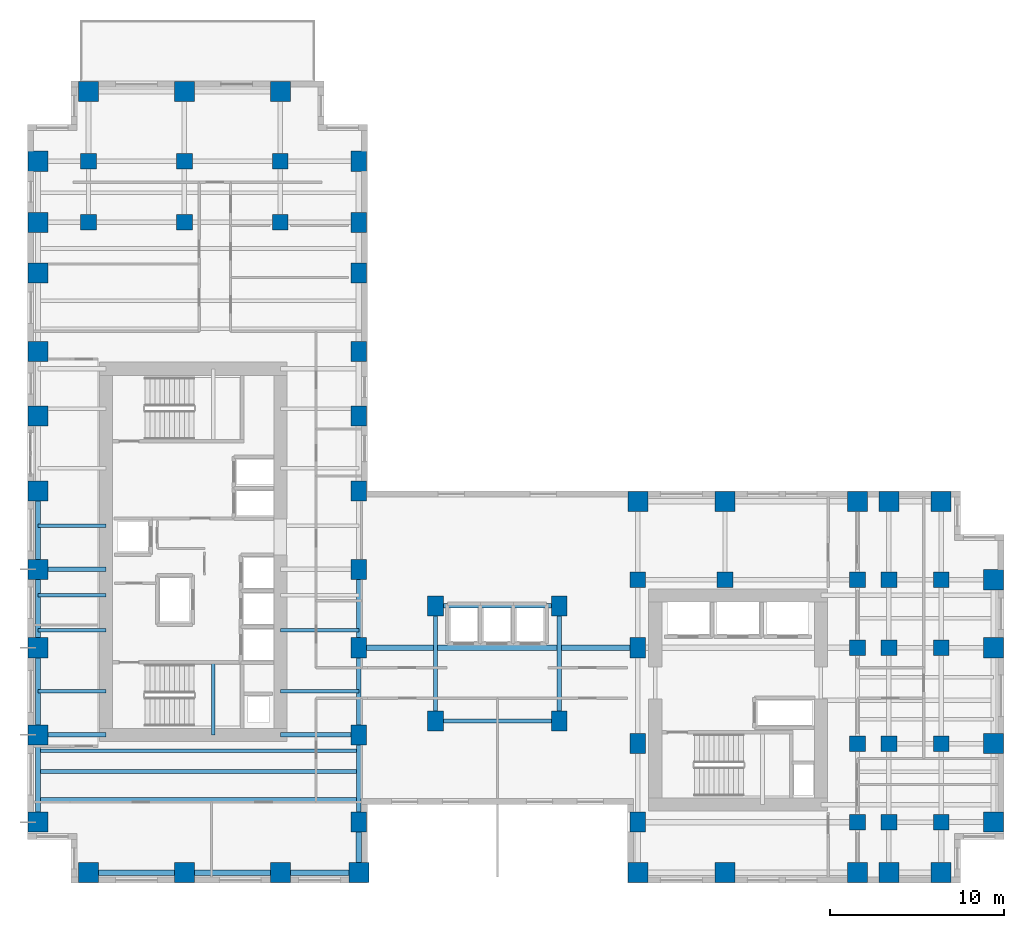
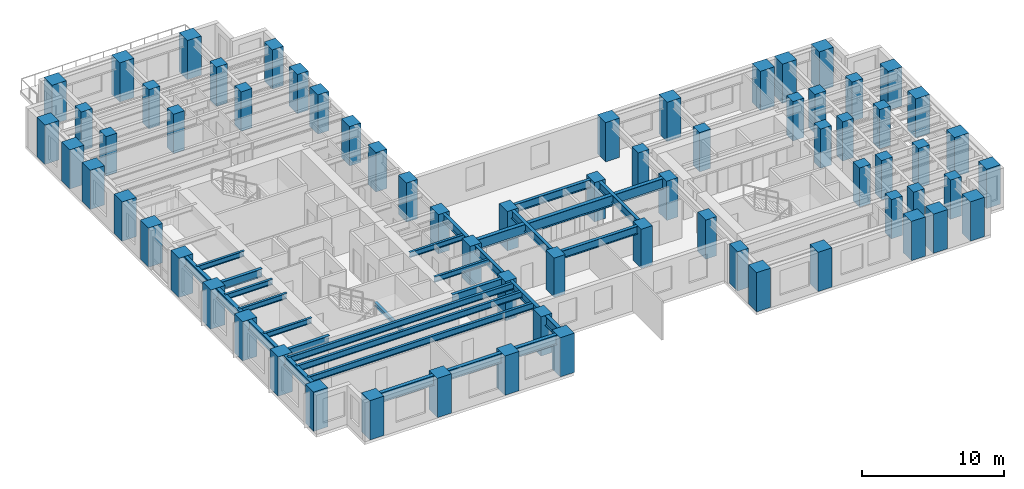
# One storey, part 1 of 13: 68 columns, 29 beams.
"""IFC4 building model written with IfcOpenShell, lengths in metres."""

from ifc_helpers import new_model, si_unit, direction, frame, origin, origin_2d, place, context, subcontext, project, spatial, rectangle, i_section, extrude, source, transform, mapped, material, material_profile, profile_set, type_object, element, save


model = new_model("IFC4")

# Units and contexts
model_context = context("Model", 3, precision=1e-05, world=origin(), true_north=direction((0.0, 1.0)))
body_context = subcontext(model_context, "Body", "Model", "MODEL_VIEW")
ifc_project = project(units=[si_unit("LENGTHUNIT", "METRE"), si_unit("AREAUNIT", "SQUARE_METRE"), si_unit("VOLUMEUNIT", "CUBIC_METRE"), si_unit("PLANEANGLEUNIT", "RADIAN"), si_unit("MASSUNIT", "GRAM", prefix="KILO")], contexts=[model_context])

# Site, building, storey
site_placement = place(None, origin())
site = spatial("IfcSite", under=ifc_project, at=site_placement, CompositionType="ELEMENT")
building_placement = place(site_placement, origin())
building = spatial("IfcBuilding", under=site, at=building_placement, Name="Kharzan Plaza Tower", CompositionType="ELEMENT")
storey_placement = place(building_placement, frame((0.0, 0.0, 77.39990234375)))
storey = spatial("IfcBuildingStorey", under=building, at=storey_placement, Name="L20", CompositionType="ELEMENT", Elevation=77.39990234375)

# Columns
ifc_material_1 = material(Name="Concrete C50/60", Category="concrete")
ifc_material_profile_1 = material_profile(ifc_material_1, rectangle(XDim=0.89990234375, YDim=0.89990234375, at=origin_2d()), Name="RC-IC900x900")
ifc_profile_set_1 = profile_set([ifc_material_profile_1], Name="Concrete C50/60")
column_type_1 = type_object("IfcColumnType", Name="COL-IC900", PredefinedType="COLUMN", material=ifc_profile_set_1)
shared_shape_1 = source(origin(), body_context, "Body", "SweptSolid", [
    extrude(rectangle(XDim=0.89990234375, YDim=0.89990234375, at=origin_2d()), origin(), (0.0, 0.0, 1.0), 3.380126953125),
])
for number, where, z_axis, x_axis, name in (
    (1, (47.60009765625, 13.5, 0.0), (0.0, 0.0, 1.0), (1.0, 0.0, 0.0), "L20 Structural Column TCBI-135"),
    (2, (47.60009765625, 3.5, 0.0), (0.0, 0.0, 1.0), (1.0, 0.0, 0.0), "L20 Structural Column TCBI-35"),
    (3, (47.60009765625, 8.0, 0.0), (0.0, 0.0, 1.0), (1.0, 0.0, 0.0), "L20 Structural Column TCBI-80"),
    (4, (35.0, 17.39990234375, 0.0), (0.0, 0.0, 1.0), (1.0, 0.0, 0.0), "L20 Structural Column TCBN-350-174"),
    (5, (40.0, 17.39990234375, 0.0), (0.0, 0.0, 1.0), (1.0, 0.0, 0.0), "L20 Structural Column TCBN-400-174"),
    (6, (47.60009765625, 17.39990234375, 0.0), (0.0, 0.0, 1.0), (1.0, 0.0, 0.0), "L20 Structural Column TCBN-476-174"),
    (7, (49.39990234375, 13.5, 0.0), (0.0, 0.0, 1.0), (1.0, 0.0, 0.0), "L20 Structural Column TCE-494-135"),
    (8, (49.39990234375, 17.39990234375, 0.0), (0.0, 0.0, 1.0), (1.0, 0.0, 0.0), "L20 Structural Column TCE-494-174"),
    (9, (49.39990234375, 3.5, 0.0), (0.0, 0.0, 1.0), (1.0, 0.0, 0.0), "L20 Structural Column TCE-494-35"),
    (10, (49.39990234375, 8.0, 0.0), (0.0, 0.0, 1.0), (1.0, 0.0, 0.0), "L20 Structural Column TCE-494-80"),
    (11, (52.39990234375, 13.5, 0.0), (0.0, 0.0, 1.0), (1.0, 0.0, 0.0), "L20 Structural Column TCE-524-135"),
    (12, (52.39990234375, 17.39990234375, 0.0), (0.0, 0.0, 1.0), (1.0, 0.0, 0.0), "L20 Structural Column TCE-524-174"),
    (13, (52.39990234375, 3.5, 0.0), (0.0, 0.0, 1.0), (1.0, 0.0, 0.0), "L20 Structural Column TCE-524-35"),
    (14, (52.39990234375, 8.0, 0.0), (0.0, 0.0, 1.0), (1.0, 0.0, 0.0), "L20 Structural Column TCE-524-80"),
    (15, (14.5, 37.89990234375, 0.0), (0.0, 0.0, 1.0), (1.0, 0.0, 0.0), "L20 Structural Column TCN-145-379"),
    (16, (14.5, 41.39990234375, 0.0), (0.0, 0.0, 1.0), (1.0, 0.0, 0.0), "L20 Structural Column TCN-145-414"),
    (17, (3.5, 37.89990234375, 0.0), (0.0, 0.0, 1.0), (1.0, 0.0, 0.0), "L20 Structural Column TCN-35-379"),
    (18, (3.5, 41.39990234375, 0.0), (0.0, 0.0, 1.0), (1.0, 0.0, 0.0), "L20 Structural Column TCN-35-414"),
    (19, (9.0, 37.89990234375, 0.0), (0.0, 0.0, 1.0), (1.0, 0.0, 0.0), "L20 Structural Column TCN-90-379"),
    (20, (9.0, 41.39990234375, 0.0), (0.0, 0.0, 1.0), (1.0, 0.0, 0.0), "L20 Structural Column TCN-90-414"),
):
    element("IfcColumn", number, at=place(storey_placement, frame(where, z_axis=z_axis, x_axis=x_axis)), inside=storey, type_object=column_type_1, Name=name, PredefinedType="COLUMN", context=body_context, shape_type="MappedRepresentation", body=[
        mapped(shared_shape_1, transform((0.0, 0.0, 0.0), x_axis=(1.0, 0.0, 0.0), y_axis=(0.0, 1.0, 0.0), z_axis=(0.0, 0.0, 1.0))),
    ])
ifc_material_2 = material(Name="Concrete C60/75", Category="concrete")
ifc_material_profile_2 = material_profile(ifc_material_2, rectangle(XDim=0.89990234375, YDim=1.14990234375, at=origin_2d()), Name="RC-SC1150x900")
ifc_profile_set_2 = profile_set([ifc_material_profile_2], Name="Concrete C60/75")
column_type_2 = type_object("IfcColumnType", Name="COL-SC1150", PredefinedType="COLUMN", material=ifc_profile_set_2)
shared_shape_2 = source(origin(), body_context, "Body", "SweptSolid", [
    extrude(rectangle(XDim=0.89990234375, YDim=1.14990234375, at=origin_2d()), origin(), (0.0, 0.0, 1.0), 3.380126953125),
])
for number, where, z_axis, x_axis, name in (
    (21, (19.0, 13.5, 0.0), (0.0, 0.0, 1.0), (1.0, 0.0, 0.0), "L20 Structural Column TCA-135"),
    (22, (19.0, 18.0, 0.0), (0.0, 0.0, 1.0), (1.0, 0.0, 0.0), "L20 Structural Column TCA-180"),
    (23, (19.0, 22.5, 0.0), (0.0, 0.0, 1.0), (1.0, 0.0, 0.0), "L20 Structural Column TCA-225"),
    (24, (19.0, 26.800048828125, 0.0), (0.0, 0.0, 1.0), (1.0, 0.0, 0.0), "L20 Structural Column TCA-268"),
    (25, (19.0, 30.5, 0.0), (0.0, 0.0, 1.0), (1.0, 0.0, 0.0), "L20 Structural Column TCA-305"),
    (26, (19.0, 3.5, 0.0), (0.0, 0.0, 1.0), (1.0, 0.0, 0.0), "L20 Structural Column TCA-35"),
    (27, (19.0, 35.0, 0.0), (0.0, 0.0, 1.0), (1.0, 0.0, 0.0), "L20 Structural Column TCA-350"),
    (28, (19.0, 37.89990234375, 0.0), (0.0, 0.0, 1.0), (1.0, 0.0, 0.0), "L20 Structural Column TCA-379"),
    (29, (19.0, 41.39990234375, 0.0), (0.0, 0.0, 1.0), (1.0, 0.0, 0.0), "L20 Structural Column TCA-414"),
    (30, (19.0, 8.5, 0.0), (0.0, 0.0, 1.0), (1.0, 0.0, 0.0), "L20 Structural Column TCA-85"),
    (31, (35.0, 13.5, 0.0), (0.0, 0.0, 1.0), (1.0, 0.0, 0.0), "L20 Structural Column TCBS-135"),
    (32, (35.0, 3.5, 0.0), (0.0, 0.0, 1.0), (1.0, 0.0, 0.0), "L20 Structural Column TCBS-35"),
    (33, (35.0, 8.0, 0.0), (0.0, 0.0, 1.0), (1.0, 0.0, 0.0), "L20 Structural Column TCBS-80"),
    (34, (23.39990234375, 15.89990234375, 0.0), (0.0, 0.0, 1.0), (1.0, 0.0, 0.0), "L20 Structural Column TCSP-234-159"),
    (35, (23.39990234375, 9.300048828125, 0.0), (0.0, 0.0, 1.0), (1.0, 0.0, 0.0), "L20 Structural Column TCSP-234-93"),
    (36, (30.5, 15.89990234375, 0.0), (0.0, 0.0, 1.0), (1.0, 0.0, 0.0), "L20 Structural Column TCSP-305-159"),
    (37, (30.5, 9.300048828125, 0.0), (0.0, 0.0, 1.0), (1.0, 0.0, 0.0), "L20 Structural Column TCSP-305-93"),
):
    element("IfcColumn", number, at=place(storey_placement, frame(where, z_axis=z_axis, x_axis=x_axis)), inside=storey, type_object=column_type_2, Name=name, PredefinedType="COLUMN", context=body_context, shape_type="MappedRepresentation", body=[
        mapped(shared_shape_2, transform((0.0, 0.0, 0.0), x_axis=(1.0, 0.0, 0.0), y_axis=(0.0, 1.0, 0.0), z_axis=(0.0, 0.0, 1.0))),
    ])
ifc_material_profile_3 = material_profile(ifc_material_2, rectangle(XDim=1.14990234375, YDim=1.14990234375, at=origin_2d()), Name="RC-TC1150x1150")
ifc_profile_set_3 = profile_set([ifc_material_profile_3], Name="Concrete C60/75")
column_type_3 = type_object("IfcColumnType", Name="COL-TC1150", PredefinedType="COLUMN", material=ifc_profile_set_3)
shared_shape_3 = source(origin(), body_context, "Body", "SweptSolid", [
    extrude(rectangle(XDim=1.14990234375, YDim=1.14990234375, at=origin_2d()), origin(), (0.0, 0.0, 1.0), 3.380126953125),
])
for number, where, z_axis, x_axis, name in (
    (38, (35.0, 21.89990234375, 0.0), (0.0, 0.0, 1.0), (1.0, 0.0, 0.0), "L20 Structural Column TCBN-350-219"),
    (39, (40.0, 21.89990234375, 0.0), (0.0, 0.0, 1.0), (1.0, 0.0, 0.0), "L20 Structural Column TCBN-400-219"),
    (40, (47.60009765625, 21.89990234375, 0.0), (0.0, 0.0, 1.0), (1.0, 0.0, 0.0), "L20 Structural Column TCBN-476-219"),
    (41, (49.39990234375, 21.89990234375, 0.0), (0.0, 0.0, 1.0), (1.0, 0.0, 0.0), "L20 Structural Column TCBN-494-219"),
    (42, (52.39990234375, 21.89990234375, 0.0), (0.0, 0.0, 1.0), (1.0, 0.0, 0.0), "L20 Structural Column TCBN-524-219"),
    (43, (55.39990234375, 13.5, 0.0), (0.0, 0.0, 1.0), (1.0, 0.0, 0.0), "L20 Structural Column TCE-554-135"),
    (44, (55.39990234375, 17.39990234375, 0.0), (0.0, 0.0, 1.0), (1.0, 0.0, 0.0), "L20 Structural Column TCE-554-174"),
    (45, (55.39990234375, 3.5, 0.0), (0.0, 0.0, 1.0), (1.0, 0.0, 0.0), "L20 Structural Column TCE-554-35"),
    (46, (55.39990234375, 8.0, 0.0), (0.0, 0.0, 1.0), (1.0, 0.0, 0.0), "L20 Structural Column TCE-554-80"),
    (47, (14.5, 45.39990234375, 0.0), (0.0, 0.0, 1.0), (1.0, 0.0, 0.0), "L20 Structural Column TCN-145-454"),
    (48, (3.5, 45.39990234375, 0.0), (0.0, 0.0, 1.0), (1.0, 0.0, 0.0), "L20 Structural Column TCN-35-454"),
    (49, (9.0, 45.39990234375, 0.0), (0.0, 0.0, 1.0), (1.0, 0.0, 0.0), "L20 Structural Column TCN-90-454"),
    (50, (14.5, 0.60009765625, 0.0), (0.0, 0.0, 1.0), (1.0, 0.0, 0.0), "L20 Structural Column TCS-145"),
    (51, (19.0, 0.60009765625, 0.0), (0.0, 0.0, 1.0), (1.0, 0.0, 0.0), "L20 Structural Column TCS-190"),
    (52, (3.5, 0.60009765625, 0.0), (0.0, 0.0, 1.0), (1.0, 0.0, 0.0), "L20 Structural Column TCS-35"),
    (53, (35.0, 0.60009765625, 0.0), (0.0, 0.0, 1.0), (1.0, 0.0, 0.0), "L20 Structural Column TCS-350"),
    (54, (40.0, 0.60009765625, 0.0), (0.0, 0.0, 1.0), (1.0, 0.0, 0.0), "L20 Structural Column TCS-400"),
    (55, (47.60009765625, 0.60009765625, 0.0), (0.0, 0.0, 1.0), (1.0, 0.0, 0.0), "L20 Structural Column TCS-476"),
    (56, (49.39990234375, 0.60009765625, 0.0), (0.0, 0.0, 1.0), (1.0, 0.0, 0.0), "L20 Structural Column TCS-494"),
    (57, (52.39990234375, 0.60009765625, 0.0), (0.0, 0.0, 1.0), (1.0, 0.0, 0.0), "L20 Structural Column TCS-524"),
    (58, (9.0, 0.60009765625, 0.0), (0.0, 0.0, 1.0), (1.0, 0.0, 0.0), "L20 Structural Column TCS-90"),
    (59, (0.60009765625, 13.5, 0.0), (0.0, 0.0, 1.0), (1.0, 0.0, 0.0), "L20 Structural Column TCW-135"),
    (60, (0.60009765625, 18.0, 0.0), (0.0, 0.0, 1.0), (1.0, 0.0, 0.0), "L20 Structural Column TCW-180"),
    (61, (0.60009765625, 22.5, 0.0), (0.0, 0.0, 1.0), (1.0, 0.0, 0.0), "L20 Structural Column TCW-225"),
    (62, (0.60009765625, 26.800048828125, 0.0), (0.0, 0.0, 1.0), (1.0, 0.0, 0.0), "L20 Structural Column TCW-268"),
    (63, (0.60009765625, 30.5, 0.0), (0.0, 0.0, 1.0), (1.0, 0.0, 0.0), "L20 Structural Column TCW-305"),
    (64, (0.60009765625, 3.5, 0.0), (0.0, 0.0, 1.0), (1.0, 0.0, 0.0), "L20 Structural Column TCW-35"),
    (65, (0.60009765625, 35.0, 0.0), (0.0, 0.0, 1.0), (1.0, 0.0, 0.0), "L20 Structural Column TCW-350"),
    (66, (0.60009765625, 37.89990234375, 0.0), (0.0, 0.0, 1.0), (1.0, 0.0, 0.0), "L20 Structural Column TCW-379"),
    (67, (0.60009765625, 41.39990234375, 0.0), (0.0, 0.0, 1.0), (1.0, 0.0, 0.0), "L20 Structural Column TCW-414"),
    (68, (0.60009765625, 8.5, 0.0), (0.0, 0.0, 1.0), (1.0, 0.0, 0.0), "L20 Structural Column TCW-85"),
):
    element("IfcColumn", number, at=place(storey_placement, frame(where, z_axis=z_axis, x_axis=x_axis)), inside=storey, type_object=column_type_3, Name=name, PredefinedType="COLUMN", context=body_context, shape_type="MappedRepresentation", body=[
        mapped(shared_shape_3, transform((0.0, 0.0, 0.0), x_axis=(1.0, 0.0, 0.0), y_axis=(0.0, 1.0, 0.0), z_axis=(0.0, 0.0, 1.0))),
    ])

# Beams
ifc_material_3 = material(Name="Steel S355", Category="steel")
ifc_material_profile_4 = material_profile(ifc_material_3, i_section(OverallWidth=0.205078125, OverallDepth=0.35400390625, WebThickness=0.009521484375, FlangeThickness=0.016845703125, at=origin_2d()), Name="W360x79")
ifc_profile_set_4 = profile_set([ifc_material_profile_4], Name="Steel S355")
beam_type_1 = type_object("IfcBeamType", Name="BM-LNT360", PredefinedType="LINTEL", material=ifc_profile_set_4)
shared_shape_4 = source(origin(), body_context, "Body", "SweptSolid", [
    extrude(i_section(OverallWidth=0.205078125, OverallDepth=0.35400390625, WebThickness=0.009521484375, FlangeThickness=0.016845703125, at=origin_2d()), origin(), (0.0, 0.0, 1.0), 4.155029296875),
])
beam_1_placement = place(storey_placement, frame((10.64990234375, 8.5, 1.423095703125), z_axis=(0.0, 1.0, 0.0), x_axis=(-1.0, 0.0, 0.0)))
element("IfcBeam", 69, at=beam_1_placement, inside=storey, type_object=beam_type_1, Name="L20 Stair ST-1 Half-Landing Beam", PredefinedType="LINTEL", context=body_context, shape_type="MappedRepresentation", body=[
    mapped(shared_shape_4, transform((0.0, 0.0, 0.0), x_axis=(1.0, 0.0, 0.0), y_axis=(0.0, 1.0, 0.0), z_axis=(0.0, 0.0, 1.0))),
])
ifc_material_profile_5 = material_profile(ifc_material_3, i_section(OverallWidth=0.304931640625, OverallDepth=0.9189453125, WebThickness=0.017333984375, FlangeThickness=0.02783203125, at=origin_2d()), Name="W920x253")
ifc_profile_set_5 = profile_set([ifc_material_profile_5], Name="Steel S355")
beam_type_2 = type_object("IfcBeamType", Name="BM-FG920B", PredefinedType="BEAM", material=ifc_profile_set_5)
shared_shape_5 = source(origin(), body_context, "Body", "SweptSolid", [
    extrude(i_section(OverallWidth=0.304931640625, OverallDepth=0.9189453125, WebThickness=0.017333984375, FlangeThickness=0.02783203125, at=origin_2d()), origin(), (0.0, 0.0, 1.0), 16.0),
])
beam_2_placement = place(storey_placement, frame((19.0, 13.5, 2.920654296875), z_axis=(1.0, 0.0, 0.0), x_axis=(0.0, 1.0, 0.0)))
element("IfcBeam", 70, at=beam_2_placement, inside=storey, type_object=beam_type_2, Name="L20 Primary Floor Girder", PredefinedType="BEAM", context=body_context, shape_type="MappedRepresentation", body=[
    mapped(shared_shape_5, transform((0.0, 0.0, 0.0), x_axis=(1.0, 0.0, 0.0), y_axis=(0.0, 1.0, 0.0), z_axis=(0.0, 0.0, 1.0))),
])
ifc_material_profile_6 = material_profile(ifc_material_3, i_section(OverallWidth=0.2099609375, OverallDepth=0.537109375, WebThickness=0.010986328125, FlangeThickness=0.017333984375, at=origin_2d()), Name="W530x101")
ifc_profile_set_6 = profile_set([ifc_material_profile_6], Name="Steel S355")
beam_type_3 = type_object("IfcBeamType", Name="BM-JST530B", PredefinedType="JOIST", material=ifc_profile_set_6)
shared_shape_6 = source(origin(), body_context, "Body", "SweptSolid", [
    extrude(i_section(OverallWidth=0.2099609375, OverallDepth=0.537109375, WebThickness=0.010986328125, FlangeThickness=0.017333984375, at=origin_2d()), origin(), (0.0, 0.0, 1.0), 18.39990234375),
])
for number, where, z_axis, x_axis, name in (
    (71, (0.60009765625, 4.800048828125, 3.111572265625), (1.0, 0.0, 0.0), (0.0, 1.0, 0.0), "L20 Wing A Composite Joist 01"),
    (72, (0.60009765625, 6.39990234375, 3.111572265625), (1.0, 0.0, 0.0), (0.0, 1.0, 0.0), "L20 Wing A Composite Joist 02"),
    (73, (0.60009765625, 7.60009765625, 3.111572265625), (1.0, 0.0, 0.0), (0.0, 1.0, 0.0), "L20 Wing A Composite Joist 03"),
):
    element("IfcBeam", number, at=place(storey_placement, frame(where, z_axis=z_axis, x_axis=x_axis)), inside=storey, type_object=beam_type_3, Name=name, PredefinedType="JOIST", context=body_context, shape_type="MappedRepresentation", body=[
        mapped(shared_shape_6, transform((0.0, 0.0, 0.0), x_axis=(1.0, 0.0, 0.0), y_axis=(0.0, 1.0, 0.0), z_axis=(0.0, 0.0, 1.0))),
    ])
ifc_material_profile_7 = material_profile(ifc_material_3, i_section(OverallWidth=0.194091796875, OverallDepth=0.468994140625, WebThickness=0.011474609375, FlangeThickness=0.0205078125, at=origin_2d()), Name="W460x106")
ifc_profile_set_7 = profile_set([ifc_material_profile_7], Name="Steel S355")
beam_type_4 = type_object("IfcBeamType", Name="BM-JST460", PredefinedType="JOIST", material=ifc_profile_set_7)
shared_shape_7 = source(origin(), body_context, "Body", "SweptSolid", [
    extrude(i_section(OverallWidth=0.194091796875, OverallDepth=0.468994140625, WebThickness=0.011474609375, FlangeThickness=0.0205078125, at=origin_2d()), origin(), (0.0, 0.0, 1.0), 4.5),
])
for number, where, z_axis, x_axis, name in (
    (74, (14.5, 11.0, 3.1455078125), (1.0, 0.0, 0.0), (0.0, 1.0, 0.0), "L20 Wing A East Infill Joist 1"),
    (75, (14.5, 14.5, 3.1455078125), (1.0, 0.0, 0.0), (0.0, 1.0, 0.0), "L20 Wing A East Infill Joist 2"),
):
    element("IfcBeam", number, at=place(storey_placement, frame(where, z_axis=z_axis, x_axis=x_axis)), inside=storey, type_object=beam_type_4, Name=name, PredefinedType="JOIST", context=body_context, shape_type="MappedRepresentation", body=[
        mapped(shared_shape_7, transform((0.0, 0.0, 0.0), x_axis=(1.0, 0.0, 0.0), y_axis=(0.0, 1.0, 0.0), z_axis=(0.0, 0.0, 1.0))),
    ])
shared_shape_8 = source(origin(), body_context, "Body", "SweptSolid", [
    extrude(i_section(OverallWidth=0.194091796875, OverallDepth=0.468994140625, WebThickness=0.011474609375, FlangeThickness=0.0205078125, at=origin_2d()), origin(), (0.0, 0.0, 1.0), 3.89990234375),
])
for number, where, z_axis, x_axis, name in (
    (76, (0.60009765625, 11.0, 3.1455078125), (1.0, 0.0, 0.0), (0.0, 1.0, 0.0), "L20 Wing A West Infill Joist 1"),
    (77, (0.60009765625, 14.5, 3.1455078125), (1.0, 0.0, 0.0), (0.0, 1.0, 0.0), "L20 Wing A West Infill Joist 2"),
    (78, (0.60009765625, 16.5, 3.1455078125), (1.0, 0.0, 0.0), (0.0, 1.0, 0.0), "L20 Wing A West Infill Joist 3"),
    (79, (0.60009765625, 20.5, 3.1455078125), (1.0, 0.0, 0.0), (0.0, 1.0, 0.0), "L20 Wing A West Infill Joist 4"),
):
    element("IfcBeam", number, at=place(storey_placement, frame(where, z_axis=z_axis, x_axis=x_axis)), inside=storey, type_object=beam_type_4, Name=name, PredefinedType="JOIST", context=body_context, shape_type="MappedRepresentation", body=[
        mapped(shared_shape_8, transform((0.0, 0.0, 0.0), x_axis=(1.0, 0.0, 0.0), y_axis=(0.0, 1.0, 0.0), z_axis=(0.0, 0.0, 1.0))),
    ])
ifc_material_profile_8 = material_profile(ifc_material_3, i_section(OverallWidth=0.25390625, OverallDepth=0.68798828125, WebThickness=0.01318359375, FlangeThickness=0.02099609375, at=origin_2d()), Name="W690x152")
ifc_profile_set_8 = profile_set([ifc_material_profile_8], Name="Steel S355")
beam_type_5 = type_object("IfcBeamType", Name="BM-FG690B", PredefinedType="BEAM", material=ifc_profile_set_8)
shared_shape_9 = source(origin(), body_context, "Body", "SweptSolid", [
    extrude(i_section(OverallWidth=0.25390625, OverallDepth=0.68798828125, WebThickness=0.01318359375, FlangeThickness=0.02099609375, at=origin_2d()), origin(), (0.0, 0.0, 1.0), 4.5),
])
for number, where, z_axis, x_axis, name in (
    (80, (14.5, 8.5, 3.0361328125), (1.0, 0.0, 0.0), (0.0, 1.0, 0.0), "L20 Core-A East Floor Girder 1"),
    (81, (19.0, 13.5, 3.0361328125), (0.0, 1.0, 0.0), (-1.0, 0.0, 0.0), "L20 Interior Frame Girder"),
):
    element("IfcBeam", number, at=place(storey_placement, frame(where, z_axis=z_axis, x_axis=x_axis)), inside=storey, type_object=beam_type_5, Name=name, PredefinedType="BEAM", context=body_context, shape_type="MappedRepresentation", body=[
        mapped(shared_shape_9, transform((0.0, 0.0, 0.0), x_axis=(1.0, 0.0, 0.0), y_axis=(0.0, 1.0, 0.0), z_axis=(0.0, 0.0, 1.0))),
    ])
shared_shape_10 = source(origin(), body_context, "Body", "SweptSolid", [
    extrude(i_section(OverallWidth=0.25390625, OverallDepth=0.68798828125, WebThickness=0.01318359375, FlangeThickness=0.02099609375, at=origin_2d()), origin(), (0.0, 0.0, 1.0), 3.89990234375),
])
for number, where, z_axis, x_axis, name in (
    (82, (0.60009765625, 8.5, 3.0361328125), (1.0, 0.0, 0.0), (0.0, 1.0, 0.0), "L20 Core-A West Floor Girder 1"),
    (83, (0.60009765625, 18.0, 3.0361328125), (1.0, 0.0, 0.0), (0.0, 1.0, 0.0), "L20 Core-A West Floor Girder 2"),
):
    element("IfcBeam", number, at=place(storey_placement, frame(where, z_axis=z_axis, x_axis=x_axis)), inside=storey, type_object=beam_type_5, Name=name, PredefinedType="BEAM", context=body_context, shape_type="MappedRepresentation", body=[
        mapped(shared_shape_10, transform((0.0, 0.0, 0.0), x_axis=(1.0, 0.0, 0.0), y_axis=(0.0, 1.0, 0.0), z_axis=(0.0, 0.0, 1.0))),
    ])
shared_shape_11 = source(origin(), body_context, "Body", "SweptSolid", [
    extrude(i_section(OverallWidth=0.25390625, OverallDepth=0.68798828125, WebThickness=0.01318359375, FlangeThickness=0.02099609375, at=origin_2d()), origin(), (0.0, 0.0, 1.0), 5.0),
])
for number, where, z_axis, x_axis, name in (
    (84, (19.0, 3.5, 3.0361328125), (0.0, 1.0, 0.0), (-1.0, 0.0, 0.0), "L20 Interior Frame Girder"),
    (85, (19.0, 8.5, 3.0361328125), (0.0, 1.0, 0.0), (-1.0, 0.0, 0.0), "L20 Interior Frame Girder"),
):
    element("IfcBeam", number, at=place(storey_placement, frame(where, z_axis=z_axis, x_axis=x_axis)), inside=storey, type_object=beam_type_5, Name=name, PredefinedType="BEAM", context=body_context, shape_type="MappedRepresentation", body=[
        mapped(shared_shape_11, transform((0.0, 0.0, 0.0), x_axis=(1.0, 0.0, 0.0), y_axis=(0.0, 1.0, 0.0), z_axis=(0.0, 0.0, 1.0))),
    ])
shared_shape_12 = source(origin(), body_context, "Body", "SweptSolid", [
    extrude(i_section(OverallWidth=0.25390625, OverallDepth=0.68798828125, WebThickness=0.01318359375, FlangeThickness=0.02099609375, at=origin_2d()), origin(), (0.0, 0.0, 1.0), 6.599853515625),
])
for number, where, z_axis, x_axis, name in (
    (86, (23.39990234375, 9.300048828125, 3.0361328125), (0.0, 1.0, 0.0), (-1.0, 0.0, 0.0), "L20 Interior Frame Girder"),
    (87, (30.5, 9.300048828125, 3.0361328125), (0.0, 1.0, 0.0), (-1.0, 0.0, 0.0), "L20 Interior Frame Girder"),
):
    element("IfcBeam", number, at=place(storey_placement, frame(where, z_axis=z_axis, x_axis=x_axis)), inside=storey, type_object=beam_type_5, Name=name, PredefinedType="BEAM", context=body_context, shape_type="MappedRepresentation", body=[
        mapped(shared_shape_12, transform((0.0, 0.0, 0.0), x_axis=(1.0, 0.0, 0.0), y_axis=(0.0, 1.0, 0.0), z_axis=(0.0, 0.0, 1.0))),
    ])
shared_shape_13 = source(origin(), body_context, "Body", "SweptSolid", [
    extrude(i_section(OverallWidth=0.25390625, OverallDepth=0.68798828125, WebThickness=0.01318359375, FlangeThickness=0.02099609375, at=origin_2d()), origin(), (0.0, 0.0, 1.0), 7.10009765625),
])
for number, where, z_axis, x_axis, name in (
    (88, (23.39990234375, 9.300048828125, 3.0361328125), (1.0, 0.0, 0.0), (0.0, 1.0, 0.0), "L20 Primary Floor Girder"),
    (89, (23.39990234375, 15.89990234375, 3.0361328125), (1.0, 0.0, 0.0), (0.0, 1.0, 0.0), "L20 Primary Floor Girder"),
):
    element("IfcBeam", number, at=place(storey_placement, frame(where, z_axis=z_axis, x_axis=x_axis)), inside=storey, type_object=beam_type_5, Name=name, PredefinedType="BEAM", context=body_context, shape_type="MappedRepresentation", body=[
        mapped(shared_shape_13, transform((0.0, 0.0, 0.0), x_axis=(1.0, 0.0, 0.0), y_axis=(0.0, 1.0, 0.0), z_axis=(0.0, 0.0, 1.0))),
    ])
ifc_material_profile_9 = material_profile(ifc_material_3, i_section(OverallWidth=0.299072265625, OverallDepth=0.845947265625, WebThickness=0.015380859375, FlangeThickness=0.0244140625, at=origin_2d()), Name="W840x210")
ifc_profile_set_9 = profile_set([ifc_material_profile_9], Name="Steel S355")
beam_type_6 = type_object("IfcBeamType", Name="BM-SP840B", PredefinedType="SPANDREL", material=ifc_profile_set_9)
shared_shape_14 = source(origin(), body_context, "Body", "SweptSolid", [
    extrude(i_section(OverallWidth=0.299072265625, OverallDepth=0.845947265625, WebThickness=0.015380859375, FlangeThickness=0.0244140625, at=origin_2d()), origin(), (0.0, 0.0, 1.0), 5.0),
])
for number, where, z_axis, x_axis, name in (
    (90, (0.60009765625, 3.5, 2.95703125), (0.0, 1.0, 0.0), (-1.0, 0.0, 0.0), "L20 Perimeter Tube Spandrel"),
    (91, (0.60009765625, 8.5, 2.95703125), (0.0, 1.0, 0.0), (-1.0, 0.0, 0.0), "L20 Perimeter Tube Spandrel"),
):
    element("IfcBeam", number, at=place(storey_placement, frame(where, z_axis=z_axis, x_axis=x_axis)), inside=storey, type_object=beam_type_6, Name=name, PredefinedType="SPANDREL", context=body_context, shape_type="MappedRepresentation", body=[
        mapped(shared_shape_14, transform((0.0, 0.0, 0.0), x_axis=(1.0, 0.0, 0.0), y_axis=(0.0, 1.0, 0.0), z_axis=(0.0, 0.0, 1.0))),
    ])
shared_shape_15 = source(origin(), body_context, "Body", "SweptSolid", [
    extrude(i_section(OverallWidth=0.299072265625, OverallDepth=0.845947265625, WebThickness=0.015380859375, FlangeThickness=0.0244140625, at=origin_2d()), origin(), (0.0, 0.0, 1.0), 4.5),
])
for number, where, z_axis, x_axis, name in (
    (92, (0.60009765625, 13.5, 2.95703125), (0.0, 1.0, 0.0), (-1.0, 0.0, 0.0), "L20 Perimeter Tube Spandrel"),
    (93, (0.60009765625, 18.0, 2.95703125), (0.0, 1.0, 0.0), (-1.0, 0.0, 0.0), "L20 Perimeter Tube Spandrel"),
    (94, (14.5, 0.60009765625, 2.95703125), (1.0, 0.0, 0.0), (0.0, 1.0, 0.0), "L20 Perimeter Tube Spandrel"),
):
    element("IfcBeam", number, at=place(storey_placement, frame(where, z_axis=z_axis, x_axis=x_axis)), inside=storey, type_object=beam_type_6, Name=name, PredefinedType="SPANDREL", context=body_context, shape_type="MappedRepresentation", body=[
        mapped(shared_shape_15, transform((0.0, 0.0, 0.0), x_axis=(1.0, 0.0, 0.0), y_axis=(0.0, 1.0, 0.0), z_axis=(0.0, 0.0, 1.0))),
    ])
shared_shape_16 = source(origin(), body_context, "Body", "SweptSolid", [
    extrude(i_section(OverallWidth=0.299072265625, OverallDepth=0.845947265625, WebThickness=0.015380859375, FlangeThickness=0.0244140625, at=origin_2d()), origin(), (0.0, 0.0, 1.0), 2.89990234375),
])
beam_3_placement = place(storey_placement, frame((19.0, 0.60009765625, 2.95703125), z_axis=(0.0, 1.0, 0.0), x_axis=(-1.0, 0.0, 0.0)))
element("IfcBeam", 95, at=beam_3_placement, inside=storey, type_object=beam_type_6, Name="L20 Perimeter Tube Spandrel", PredefinedType="SPANDREL", context=body_context, shape_type="MappedRepresentation", body=[
    mapped(shared_shape_16, transform((0.0, 0.0, 0.0), x_axis=(1.0, 0.0, 0.0), y_axis=(0.0, 1.0, 0.0), z_axis=(0.0, 0.0, 1.0))),
])
shared_shape_17 = source(origin(), body_context, "Body", "SweptSolid", [
    extrude(i_section(OverallWidth=0.299072265625, OverallDepth=0.845947265625, WebThickness=0.015380859375, FlangeThickness=0.0244140625, at=origin_2d()), origin(), (0.0, 0.0, 1.0), 5.5),
])
for number, where, z_axis, x_axis, name in (
    (96, (3.5, 0.60009765625, 2.95703125), (1.0, 0.0, 0.0), (0.0, 1.0, 0.0), "L20 Perimeter Tube Spandrel"),
    (97, (9.0, 0.60009765625, 2.95703125), (1.0, 0.0, 0.0), (0.0, 1.0, 0.0), "L20 Perimeter Tube Spandrel"),
):
    element("IfcBeam", number, at=place(storey_placement, frame(where, z_axis=z_axis, x_axis=x_axis)), inside=storey, type_object=beam_type_6, Name=name, PredefinedType="SPANDREL", context=body_context, shape_type="MappedRepresentation", body=[
        mapped(shared_shape_17, transform((0.0, 0.0, 0.0), x_axis=(1.0, 0.0, 0.0), y_axis=(0.0, 1.0, 0.0), z_axis=(0.0, 0.0, 1.0))),
    ])

save(model, "model.ifc")
